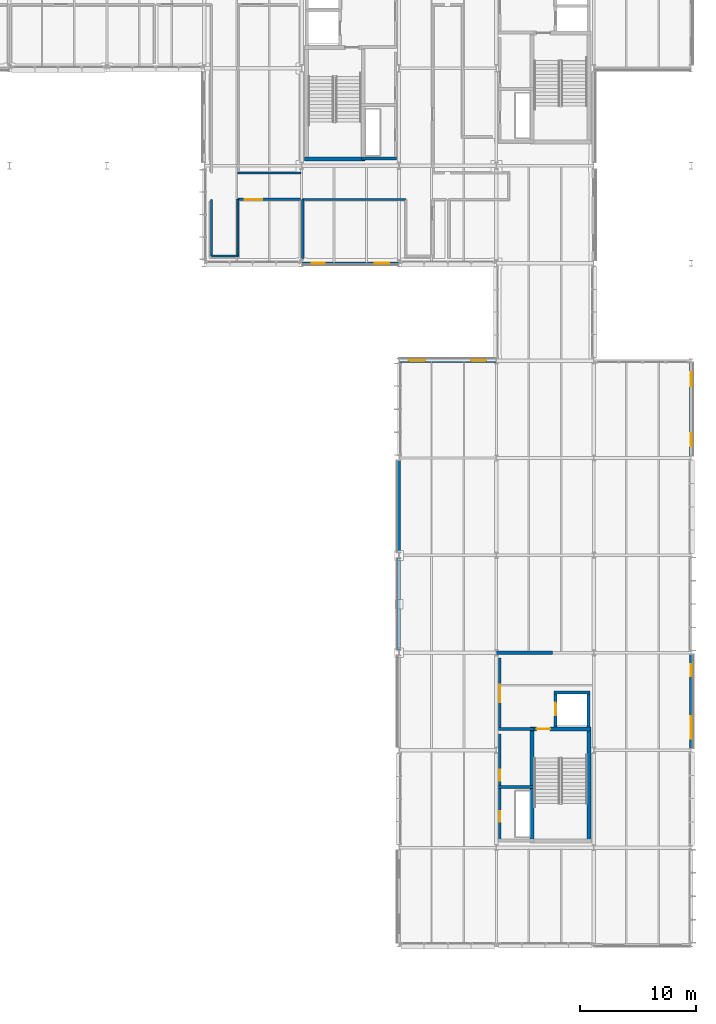
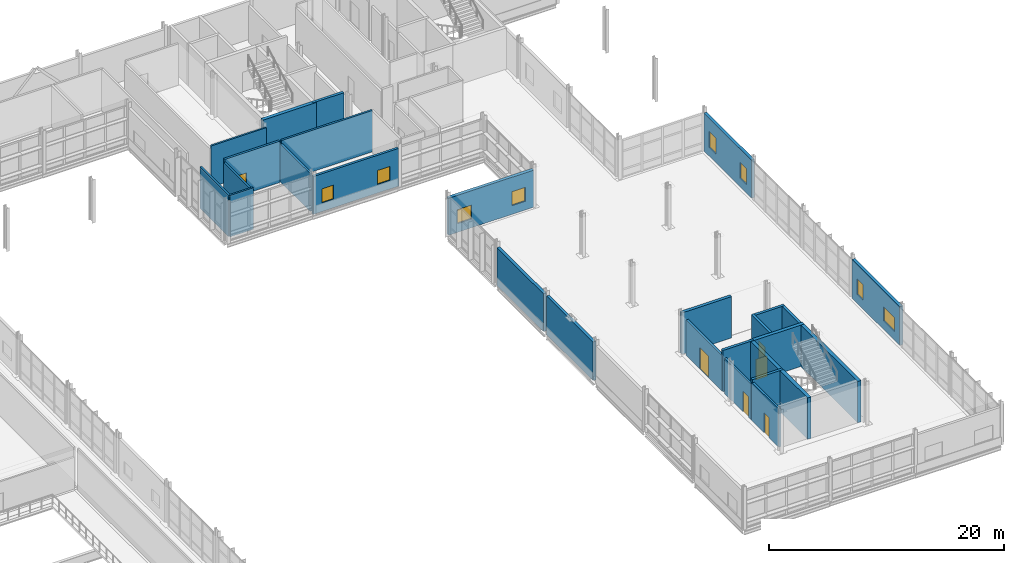
# One storey, part 102 of 129: 27 walls, 8 windows, 6 doors, 14 openings.
"""IFC4 building model written with IfcOpenShell, lengths in metres."""

from ifc_helpers import new_model, si_unit, direction, frame, frame_2d, origin, place, context, subcontext, project, spatial, rectangle, extrude, material, layer, layer_set, type_object, element, fill, save


model = new_model("IFC4")

# Units and contexts
model_context = context("Model", 3, precision=1e-05, world=origin(), true_north=direction((0.0, 1.0)))
body_context = subcontext(model_context, "Body", "Model", "MODEL_VIEW")
ifc_project = project(units=[si_unit("LENGTHUNIT", "METRE"), si_unit("AREAUNIT", "SQUARE_METRE"), si_unit("VOLUMEUNIT", "CUBIC_METRE"), si_unit("PLANEANGLEUNIT", "RADIAN"), si_unit("MASSUNIT", "GRAM", prefix="KILO")], contexts=[model_context])

# Site, building, storey
site_placement = place(None, origin())
site = spatial("IfcSite", under=ifc_project, at=site_placement, CompositionType="ELEMENT")
building_placement = place(site_placement, origin())
building = spatial("IfcBuilding", under=site, at=building_placement, Name="Mersafa Astral City Hall", CompositionType="ELEMENT")
storey_placement = place(building_placement, frame((0.0, 0.0, 5.39990234375)))
storey = spatial("IfcBuildingStorey", under=building, at=storey_placement, Name="L01", CompositionType="ELEMENT", Elevation=5.39990234375)

# Wall, openings, windows
ifc_material_1 = material(Name="Precast concrete C40/50 insulated terracotta spandrel", Category="masonry")
ifc_layer_1 = layer(ifc_material_1, 0.235107421875, Name="Precast concrete C40/50 insulated terracotta spandrel")
ifc_layer_set_1 = layer_set([ifc_layer_1], Name="Precast concrete C40/50 insulated terracotta spandrel — ENV-WAL-EXT-235")
wall_type_1 = type_object("IfcWallType", Name="ENV-WAL-EXT-235", PredefinedType="STANDARD", material=ifc_layer_set_1)
wall_1_placement = place(storey_placement, frame((151.2080078125, 100.800048828125, 0.0), z_axis=(0.0, 0.0, 1.0), x_axis=(1.0, 0.0, 0.0)))
wall_1 = element("IfcWall", 1, at=wall_1_placement, inside=storey, type_object=wall_type_1, Name="L01 Limestone-clad exterior wall 95", PredefinedType="STANDARD", context=body_context, shape_type="SweptSolid", body=[
    extrude(rectangle(XDim=8.384033203125, YDim=0.235107421875, at=frame_2d((4.19189453125, 0.0))), origin(), (0.0, 0.0, 1.0), 3.922119140625),
])
opening_1_placement = place(wall_1_placement, frame((0.85009765625, 0.0, 0.89990234375)))
opening_1 = element("IfcOpeningElement", 2, at=opening_1_placement, cuts=wall_1, Name="Opening W-22", PredefinedType="OPENING", context=body_context, shape_type="SweptSolid", body=[
    extrude(rectangle(XDim=1.1201171875, YDim=1.449951171875, at=frame_2d((0.56005859375, 0.72509765625))), frame((0.0, 0.12744140625, 0.0), z_axis=(0.0, -1.0, 0.0), x_axis=(1.0, 0.0, 0.0)), (0.0, 0.0, 1.0), 0.255126953125),
])
opening_2_placement = place(wall_1_placement, frame((6.31396484375, 0.0, 0.89990234375)))
opening_2 = element("IfcOpeningElement", 3, at=opening_2_placement, cuts=wall_1, Name="Opening W-23", PredefinedType="OPENING", context=body_context, shape_type="SweptSolid", body=[
    extrude(rectangle(XDim=1.219970703125, YDim=1.449951171875, at=frame_2d((0.60986328125, 0.72509765625))), frame((0.0, 0.12744140625, 0.0), z_axis=(0.0, -1.0, 0.0), x_axis=(1.0, 0.0, 0.0)), (0.0, 0.0, 1.0), 0.255126953125),
])
ifc_material_2 = material(Name="Solar control low-e double glazing in bronze frame", Category="glass")
window_type_1 = type_object("IfcWindowType", Name="ENV-WIN-W-22", PartitioningType="SINGLE_PANEL", PredefinedType="WINDOW", material=ifc_material_2)
window_1_placement = place(opening_1_placement, origin())
window_1 = element("IfcWindow", 4, at=window_1_placement, inside=storey, type_object=window_type_1, Name="L01 Solar punched window 95-L", OverallHeight=1.449951171875, OverallWidth=1.1201171875, PartitioningType="SINGLE_PANEL", PredefinedType="WINDOW", context=body_context, shape_type="SweptSolid", body=[
    extrude(rectangle(XDim=1.1201171875, YDim=1.449951171875, at=frame_2d((0.56005859375, 0.72509765625))), frame((0.0, 0.030029296875, 0.0), z_axis=(0.0, -1.0, 0.0), x_axis=(1.0, 0.0, 0.0)), (0.0, 0.0, 1.0), 0.06005859375),
])
fill(opening_1, window_1)
window_type_2 = type_object("IfcWindowType", Name="ENV-WIN-W-23", PartitioningType="SINGLE_PANEL", PredefinedType="WINDOW", material=ifc_material_2)
window_2_placement = place(opening_2_placement, origin())
window_2 = element("IfcWindow", 5, at=window_2_placement, inside=storey, type_object=window_type_2, Name="L01 Solar punched window 95-R", OverallHeight=1.449951171875, OverallWidth=1.219970703125, PartitioningType="SINGLE_PANEL", PredefinedType="WINDOW", context=body_context, shape_type="SweptSolid", body=[
    extrude(rectangle(XDim=1.219970703125, YDim=1.449951171875, at=frame_2d((0.60986328125, 0.72509765625))), frame((0.0, 0.030029296875, 0.0), z_axis=(0.0, -1.0, 0.0), x_axis=(1.0, 0.0, 0.0)), (0.0, 0.0, 1.0), 0.06005859375),
])
fill(opening_2, window_2)

# Walls
ifc_material_3 = material(Name="Precast concrete C40/50 insulated limestone wall", Category="masonry")
ifc_layer_2 = layer(ifc_material_3, 0.280029296875, Name="Precast concrete C40/50 insulated limestone wall")
ifc_layer_set_2 = layer_set([ifc_layer_2], Name="Precast concrete C40/50 insulated limestone wall — ENV-WAL-EXT-280")
wall_type_2 = type_object("IfcWallType", Name="ENV-WAL-EXT-280", PredefinedType="STANDARD", material=ifc_layer_set_2)
wall_2_placement = place(storey_placement, frame((159.60009765625, 75.35400390625, 0.0), z_axis=(0.0, 0.0, 1.0), x_axis=(0.0, -1.0, 0.0)))
element("IfcWall", 6, at=wall_2_placement, inside=storey, type_object=wall_type_2, Name="L01 Limestone-clad exterior wall 98", PredefinedType="STANDARD", context=body_context, shape_type="SweptSolid", body=[
    extrude(rectangle(XDim=7.907958984375, YDim=0.280029296875, at=frame_2d((3.9541015625, 0.0))), origin(), (0.0, 0.0, 1.0), 4.01220703125),
])
ifc_layer_3 = layer(ifc_material_3, 0.294921875, Name="Precast concrete C40/50 insulated limestone wall")
ifc_layer_set_3 = layer_set([ifc_layer_3], Name="Precast concrete C40/50 insulated limestone wall — ENV-WAL-EXT-295")
wall_type_3 = type_object("IfcWallType", Name="ENV-WAL-EXT-295", PredefinedType="STANDARD", material=ifc_layer_set_3)
wall_3_placement = place(storey_placement, frame((159.60009765625, 83.779052734375, 0.0), z_axis=(0.0, 0.0, 1.0), x_axis=(0.0, -1.0, 0.0)))
element("IfcWall", 7, at=wall_3_placement, inside=storey, type_object=wall_type_3, Name="L01 Limestone-clad exterior wall 97", PredefinedType="STANDARD", context=body_context, shape_type="SweptSolid", body=[
    extrude(rectangle(XDim=7.93310546875, YDim=0.294921875, at=frame_2d((3.966552734375, 0.0))), origin(), (0.0, 0.0, 1.0), 3.922119140625),
])

# Wall, openings, windows
wall_4_placement = place(storey_placement, frame((184.800048828125, 84.14599609375, 0.0), z_axis=(0.0, 0.0, 1.0), x_axis=(0.0, 1.0, 0.0)))
wall_4 = element("IfcWall", 8, at=wall_4_placement, inside=storey, type_object=wall_type_3, Name="L01 Limestone-clad exterior wall 103", PredefinedType="STANDARD", context=body_context, shape_type="SweptSolid", body=[
    extrude(rectangle(XDim=8.10791015625, YDim=0.294921875, at=frame_2d((4.053955078125, 0.0))), origin(), (0.0, 0.0, 1.0), 3.922119140625),
])
opening_3_placement = place(wall_4_placement, frame((0.85009765625, 0.0, 0.89990234375)))
opening_3 = element("IfcOpeningElement", 9, at=opening_3_placement, cuts=wall_4, Name="Opening W-32", PredefinedType="OPENING", context=body_context, shape_type="SweptSolid", body=[
    extrude(rectangle(XDim=1.1201171875, YDim=1.64990234375, at=frame_2d((0.56005859375, 0.824951171875))), frame((0.0, 0.157470703125, 0.0), z_axis=(0.0, -1.0, 0.0), x_axis=(1.0, 0.0, 0.0)), (0.0, 0.0, 1.0), 0.31494140625),
])
opening_4_placement = place(wall_4_placement, frame((6.0380859375, 0.0, 0.89990234375)))
opening_4 = element("IfcOpeningElement", 10, at=opening_4_placement, cuts=wall_4, Name="Opening W-33", PredefinedType="OPENING", context=body_context, shape_type="SweptSolid", body=[
    extrude(rectangle(XDim=1.219970703125, YDim=1.64990234375, at=frame_2d((0.60986328125, 0.824951171875))), frame((0.0, 0.157470703125, 0.0), z_axis=(0.0, -1.0, 0.0), x_axis=(1.0, 0.0, 0.0)), (0.0, 0.0, 1.0), 0.31494140625),
])
window_type_3 = type_object("IfcWindowType", Name="ENV-WIN-W-32", PartitioningType="SINGLE_PANEL", PredefinedType="WINDOW", material=ifc_material_2)
window_3_placement = place(opening_3_placement, origin())
window_3 = element("IfcWindow", 11, at=window_3_placement, inside=storey, type_object=window_type_3, Name="L01 Solar punched window 103-L", OverallHeight=1.64990234375, OverallWidth=1.1201171875, PartitioningType="SINGLE_PANEL", PredefinedType="WINDOW", context=body_context, shape_type="SweptSolid", body=[
    extrude(rectangle(XDim=1.1201171875, YDim=1.64990234375, at=frame_2d((0.56005859375, 0.824951171875))), frame((0.0, 0.030029296875, 0.0), z_axis=(0.0, -1.0, 0.0), x_axis=(1.0, 0.0, 0.0)), (0.0, 0.0, 1.0), 0.06005859375),
])
fill(opening_3, window_3)
window_type_4 = type_object("IfcWindowType", Name="ENV-WIN-W-33", PartitioningType="SINGLE_PANEL", PredefinedType="WINDOW", material=ifc_material_2)
window_4_placement = place(opening_4_placement, origin())
window_4 = element("IfcWindow", 12, at=window_4_placement, inside=storey, type_object=window_type_4, Name="L01 Solar punched window 103-R", OverallHeight=1.64990234375, OverallWidth=1.219970703125, PartitioningType="SINGLE_PANEL", PredefinedType="WINDOW", context=body_context, shape_type="SweptSolid", body=[
    extrude(rectangle(XDim=1.219970703125, YDim=1.64990234375, at=frame_2d((0.60986328125, 0.824951171875))), frame((0.0, 0.030029296875, 0.0), z_axis=(0.0, -1.0, 0.0), x_axis=(1.0, 0.0, 0.0)), (0.0, 0.0, 1.0), 0.06005859375),
])
fill(opening_4, window_4)

ifc_layer_4 = layer(ifc_material_3, 0.31005859375, Name="Precast concrete C40/50 insulated limestone wall")
ifc_layer_set_4 = layer_set([ifc_layer_4], Name="Precast concrete C40/50 insulated limestone wall — ENV-WAL-EXT-310")
wall_type_4 = type_object("IfcWallType", Name="ENV-WAL-EXT-310", PredefinedType="STANDARD", material=ifc_layer_set_4)
wall_5_placement = place(storey_placement, frame((167.991943359375, 92.39990234375, 0.0), z_axis=(0.0, 0.0, 1.0), x_axis=(-1.0, 0.0, 0.0)))
wall_5 = element("IfcWall", 13, at=wall_5_placement, inside=storey, type_object=wall_type_4, Name="L01 Limestone-clad exterior wall 96", PredefinedType="STANDARD", context=body_context, shape_type="SweptSolid", body=[
    extrude(rectangle(XDim=8.384033203125, YDim=0.31005859375, at=frame_2d((4.19189453125, 0.0))), origin(), (0.0, 0.0, 1.0), 3.842041015625),
])
opening_5_placement = place(wall_5_placement, frame((0.85009765625, 0.0, 0.89990234375)))
opening_5 = element("IfcOpeningElement", 14, at=opening_5_placement, cuts=wall_5, Name="Opening W-24", PredefinedType="OPENING", context=body_context, shape_type="SweptSolid", body=[
    extrude(rectangle(XDim=1.320068359375, YDim=1.449951171875, at=frame_2d((0.66015625, 0.72509765625))), frame((0.0, 0.1650390625, 0.0), z_axis=(0.0, -1.0, 0.0), x_axis=(1.0, 0.0, 0.0)), (0.0, 0.0, 1.0), 0.330078125),
])
opening_6_placement = place(wall_5_placement, frame((6.114013671875, 0.0, 0.89990234375)))
opening_6 = element("IfcOpeningElement", 15, at=opening_6_placement, cuts=wall_5, Name="Opening W-25", PredefinedType="OPENING", context=body_context, shape_type="SweptSolid", body=[
    extrude(rectangle(XDim=1.419921875, YDim=1.449951171875, at=frame_2d((0.7099609375, 0.72509765625))), frame((0.0, 0.1650390625, 0.0), z_axis=(0.0, -1.0, 0.0), x_axis=(1.0, 0.0, 0.0)), (0.0, 0.0, 1.0), 0.330078125),
])
window_type_5 = type_object("IfcWindowType", Name="ENV-WIN-W-24", PartitioningType="SINGLE_PANEL", PredefinedType="WINDOW", material=ifc_material_2)
window_5_placement = place(opening_5_placement, origin())
window_5 = element("IfcWindow", 16, at=window_5_placement, inside=storey, type_object=window_type_5, Name="L01 Solar punched window 96-L", OverallHeight=1.449951171875, OverallWidth=1.320068359375, PartitioningType="SINGLE_PANEL", PredefinedType="WINDOW", context=body_context, shape_type="SweptSolid", body=[
    extrude(rectangle(XDim=1.320068359375, YDim=1.449951171875, at=frame_2d((0.66015625, 0.72509765625))), frame((0.0, 0.030029296875, 0.0), z_axis=(0.0, -1.0, 0.0), x_axis=(1.0, 0.0, 0.0)), (0.0, 0.0, 1.0), 0.06005859375),
])
fill(opening_5, window_5)
window_type_6 = type_object("IfcWindowType", Name="ENV-WIN-W-25", PartitioningType="SINGLE_PANEL", PredefinedType="WINDOW", material=ifc_material_2)
window_6_placement = place(opening_6_placement, origin())
window_6 = element("IfcWindow", 17, at=window_6_placement, inside=storey, type_object=window_type_6, Name="L01 Solar punched window 96-R", OverallHeight=1.449951171875, OverallWidth=1.419921875, PartitioningType="SINGLE_PANEL", PredefinedType="WINDOW", context=body_context, shape_type="SweptSolid", body=[
    extrude(rectangle(XDim=1.419921875, YDim=1.449951171875, at=frame_2d((0.7099609375, 0.72509765625))), frame((0.0, 0.030029296875, 0.0), z_axis=(0.0, -1.0, 0.0), x_axis=(1.0, 0.0, 0.0)), (0.0, 0.0, 1.0), 0.06005859375),
])
fill(opening_6, window_6)

wall_6_placement = place(storey_placement, frame((184.800048828125, 58.946044921875, 0.0), z_axis=(0.0, 0.0, 1.0), x_axis=(0.0, 1.0, 0.0)))
wall_6 = element("IfcWall", 18, at=wall_6_placement, inside=storey, type_object=wall_type_4, Name="L01 Limestone-clad exterior wall 102", PredefinedType="STANDARD", context=body_context, shape_type="SweptSolid", body=[
    extrude(rectangle(XDim=8.10791015625, YDim=0.31005859375, at=frame_2d((4.053955078125, 0.0))), origin(), (0.0, 0.0, 1.0), 4.01220703125),
])
opening_7_placement = place(wall_6_placement, frame((0.85009765625, 0.0, 0.89990234375)))
opening_7 = element("IfcOpeningElement", 19, at=opening_7_placement, cuts=wall_6, Name="Opening W-30", PredefinedType="OPENING", context=body_context, shape_type="SweptSolid", body=[
    extrude(rectangle(XDim=1.919921875, YDim=1.449951171875, at=frame_2d((0.9599609375, 0.72509765625))), frame((0.0, 0.1650390625, 0.0), z_axis=(0.0, -1.0, 0.0), x_axis=(1.0, 0.0, 0.0)), (0.0, 0.0, 1.0), 0.330078125),
])
opening_8_placement = place(wall_6_placement, frame((6.238037109375, 0.0, 0.89990234375)))
opening_8 = element("IfcOpeningElement", 20, at=opening_8_placement, cuts=wall_6, Name="Opening W-31", PredefinedType="OPENING", context=body_context, shape_type="SweptSolid", body=[
    extrude(rectangle(XDim=1.02001953125, YDim=1.64990234375, at=frame_2d((0.510009765625, 0.824951171875))), frame((0.0, 0.1650390625, 0.0), z_axis=(0.0, -1.0, 0.0), x_axis=(1.0, 0.0, 0.0)), (0.0, 0.0, 1.0), 0.330078125),
])
window_type_7 = type_object("IfcWindowType", Name="ENV-WIN-W-30", PartitioningType="SINGLE_PANEL", PredefinedType="WINDOW", material=ifc_material_2)
window_7_placement = place(opening_7_placement, origin())
window_7 = element("IfcWindow", 21, at=window_7_placement, inside=storey, type_object=window_type_7, Name="L01 Solar punched window 102-L", OverallHeight=1.449951171875, OverallWidth=1.919921875, PartitioningType="SINGLE_PANEL", PredefinedType="WINDOW", context=body_context, shape_type="SweptSolid", body=[
    extrude(rectangle(XDim=1.919921875, YDim=1.449951171875, at=frame_2d((0.9599609375, 0.72509765625))), frame((0.0, 0.030029296875, 0.0), z_axis=(0.0, -1.0, 0.0), x_axis=(1.0, 0.0, 0.0)), (0.0, 0.0, 1.0), 0.06005859375),
])
fill(opening_7, window_7)
window_type_8 = type_object("IfcWindowType", Name="ENV-WIN-W-31", PartitioningType="SINGLE_PANEL", PredefinedType="WINDOW", material=ifc_material_2)
window_8_placement = place(opening_8_placement, origin())
window_8 = element("IfcWindow", 22, at=window_8_placement, inside=storey, type_object=window_type_8, Name="L01 Solar punched window 102-R", OverallHeight=1.64990234375, OverallWidth=1.02001953125, PartitioningType="SINGLE_PANEL", PredefinedType="WINDOW", context=body_context, shape_type="SweptSolid", body=[
    extrude(rectangle(XDim=1.02001953125, YDim=1.64990234375, at=frame_2d((0.510009765625, 0.824951171875))), frame((0.0, 0.030029296875, 0.0), z_axis=(0.0, -1.0, 0.0), x_axis=(1.0, 0.0, 0.0)), (0.0, 0.0, 1.0), 0.06005859375),
])
fill(opening_8, window_8)

# Walls
ifc_material_4 = material(Name="Concrete C40/50", Category="concrete")
ifc_layer_5 = layer(ifc_material_4, 0.260009765625, Name="Concrete C40/50")
ifc_layer_set_5 = layer_set([ifc_layer_5], Name="Concrete C40/50 — INT-WAL-CORE-260")
wall_type_5 = type_object("IfcWallType", Name="INT-WAL-CORE-260", PredefinedType="SHEAR", material=ifc_layer_set_5)
wall_7_placement = place(storey_placement, frame((156.364990234375, 109.820068359375, 0.0), z_axis=(0.0, 0.0, 1.0), x_axis=(1.0, 0.0, 0.0)))
element("IfcWall", 23, at=wall_7_placement, inside=storey, type_object=wall_type_5, Name="L01 Core K1 riser south wall", PredefinedType="SHEAR", context=body_context, shape_type="SweptSolid", body=[
    extrude(rectangle(XDim=3.034912109375, YDim=0.260009765625, at=frame_2d((1.517578125, 0.0))), origin(), (0.0, 0.0, 1.0), 4.2900390625),
])
wall_8_placement = place(storey_placement, frame((172.955078125, 63.784912109375, 0.0), z_axis=(0.0, 0.0, 1.0), x_axis=(1.0, 0.0, 0.0)))
element("IfcWall", 24, at=wall_8_placement, inside=storey, type_object=wall_type_5, Name="L01 Lift LF6 north shaft wall", PredefinedType="SHEAR", context=body_context, shape_type="SweptSolid", body=[
    extrude(rectangle(XDim=3.1298828125, YDim=0.260009765625, at=frame_2d((1.56494140625, 0.0))), origin(), (0.0, 0.0, 1.0), 4.2900390625),
])
wall_9_placement = place(storey_placement, frame((175.955078125, 60.797119140625, 0.0), z_axis=(0.0, 0.0, 1.0), x_axis=(0.0, 1.0, 0.0)))
element("IfcWall", 25, at=wall_9_placement, inside=storey, type_object=wall_type_5, Name="L01 Lift LF6 back shaft wall", PredefinedType="SHEAR", context=body_context, shape_type="SweptSolid", body=[
    extrude(rectangle(XDim=3.117919921875, YDim=0.260009765625, at=frame_2d((1.55908203125, 0.0))), origin(), (0.0, 0.0, 1.0), 4.2900390625),
])

# Wall, opening, door
wall_10_placement = place(storey_placement, frame((173.0849609375, 60.797119140625, 0.0), z_axis=(0.0, 0.0, 1.0), x_axis=(0.0, 1.0, 0.0)))
wall_10 = element("IfcWall", 26, at=wall_10_placement, inside=storey, type_object=wall_type_5, Name="L01 Lift LF6 front shaft wall", PredefinedType="SHEAR", context=body_context, shape_type="SweptSolid", body=[
    extrude(rectangle(XDim=3.117919921875, YDim=0.260009765625, at=frame_2d((1.55908203125, 0.0))), origin(), (0.0, 0.0, 1.0), 4.2900390625),
])
opening_9_placement = place(wall_10_placement, frame((1.009033203125, 0.0, 0.0)))
opening_9 = element("IfcOpeningElement", 27, at=opening_9_placement, cuts=wall_10, Name="Opening LD-1", PredefinedType="OPENING", context=body_context, shape_type="SweptSolid", body=[
    extrude(rectangle(XDim=1.10009765625, YDim=2.14990234375, at=frame_2d((0.550048828125, 1.074951171875))), frame((0.0, 0.139892578125, 0.0), z_axis=(0.0, -1.0, 0.0), x_axis=(1.0, 0.0, 0.0)), (0.0, 0.0, 1.0), 0.280029296875),
])
ifc_material_5 = material(Name="Stainless steel sliding lift landing door", Category="steel")
door_type_1 = type_object("IfcDoorType", Name="INT-DR-LIFT-LD1", OperationType="NOTDEFINED", PredefinedType="DOOR", material=ifc_material_5)
door_1_placement = place(opening_9_placement, origin())
door_1 = element("IfcDoor", 28, at=door_1_placement, inside=storey, type_object=door_type_1, Name="Elevator LF6 Sliding Landing Door L01", OperationType="DOUBLE_DOOR_SLIDING", OverallHeight=2.14990234375, OverallWidth=1.10009765625, PredefinedType="DOOR", context=body_context, shape_type="SweptSolid", body=[
    extrude(rectangle(XDim=1.10009765625, YDim=2.14990234375, at=frame_2d((0.550048828125, 1.074951171875))), frame((0.0, 0.02490234375, 0.0), z_axis=(0.0, -1.0, 0.0), x_axis=(1.0, 0.0, 0.0)), (0.0, 0.0, 1.0), 0.050048828125),
])
fill(opening_9, door_1)

# Walls
for number, where, z_axis, x_axis, name in (
    (29, (168.199951171875, 55.635009765625, 0.0), (0.0, 0.0, 1.0), (1.0, 0.0, 0.0), "L01 Core K4 riser-restroom divider wall"),
    (30, (168.199951171875, 60.635009765625, 0.0), (0.0, 0.0, 1.0), (1.0, 0.0, 0.0), "L01 Core K4 restroom-lobby divider wall"),
):
    element("IfcWall", number, at=place(storey_placement, frame(where, z_axis=z_axis, x_axis=x_axis)), inside=storey, type_object=wall_type_5, Name=name, PredefinedType="SHEAR", context=body_context, shape_type="SweptSolid", body=[
        extrude(rectangle(XDim=3.03515625, YDim=0.260009765625, at=frame_2d((1.517578125, 0.0))), origin(), (0.0, 0.0, 1.0), 4.2900390625),
    ])
ifc_layer_6 = layer(ifc_material_4, 0.300048828125, Name="Concrete C40/50")
ifc_layer_set_6 = layer_set([ifc_layer_6], Name="Concrete C40/50 — INT-WAL-CORE-300")
wall_type_6 = type_object("IfcWallType", Name="INT-WAL-CORE-300", PredefinedType="SHEAR", material=ifc_layer_set_6)
wall_11_placement = place(storey_placement, frame((167.97998046875, 67.2099609375, 0.0), z_axis=(0.0, 0.0, 1.0), x_axis=(1.0, 0.0, 0.0)))
element("IfcWall", 31, at=wall_11_placement, inside=storey, type_object=wall_type_6, Name="L01 Core K4 lobby north shear wall", PredefinedType="SHEAR", context=body_context, shape_type="SweptSolid", body=[
    extrude(rectangle(XDim=4.8701171875, YDim=0.300048828125, at=frame_2d((2.43505859375, 0.0))), origin(), (0.0, 0.0, 1.0), 4.2900390625),
])
ifc_layer_7 = layer(ifc_material_4, 0.340087890625, Name="Concrete C40/50")
ifc_layer_set_7 = layer_set([ifc_layer_7], Name="Concrete C40/50 — INT-WAL-CORE-340")
wall_type_7 = type_object("IfcWallType", Name="INT-WAL-CORE-340", PredefinedType="SHEAR", material=ifc_layer_set_7)
wall_12_placement = place(storey_placement, frame((151.43505859375, 109.77490234375, 0.0), z_axis=(0.0, 0.0, 1.0), x_axis=(1.0, 0.0, 0.0)))
element("IfcWall", 32, at=wall_12_placement, inside=storey, type_object=wall_type_7, Name="L01 Core K1 stair south shear wall", PredefinedType="SHEAR", context=body_context, shape_type="SweptSolid", body=[
    extrude(rectangle(XDim=5.25, YDim=0.340087890625, at=frame_2d((2.625, 0.0))), origin(), (0.0, 0.0, 1.0), 4.2900390625),
])
for number, where, z_axis, x_axis, name in (
    (33, (171.0849609375, 50.804931640625, 0.0), (0.0, 0.0, 1.0), (0.0, 1.0, 0.0), "L01 Core K4 stair west shear wall"),
    (34, (175.9951171875, 50.804931640625, 0.0), (0.0, 0.0, 1.0), (0.0, 1.0, 0.0), "L01 Core K4 stair east shear wall"),
):
    element("IfcWall", number, at=place(storey_placement, frame(where, z_axis=z_axis, x_axis=x_axis)), inside=storey, type_object=wall_type_7, Name=name, PredefinedType="SHEAR", context=body_context, shape_type="SweptSolid", body=[
        extrude(rectangle(XDim=9.989990234375, YDim=0.340087890625, at=frame_2d((4.9951171875, 0.0))), origin(), (0.0, 0.0, 1.0), 4.2900390625),
    ])

# Wall, opening, door
wall_13_placement = place(storey_placement, frame((170.9150390625, 60.625, 0.0), z_axis=(0.0, 0.0, 1.0), x_axis=(1.0, 0.0, 0.0)))
wall_13 = element("IfcWall", 35, at=wall_13_placement, inside=storey, type_object=wall_type_7, Name="L01 Core K4 stair-lobby fire wall", PredefinedType="SHEAR", context=body_context, shape_type="SweptSolid", body=[
    extrude(rectangle(XDim=5.25, YDim=0.340087890625, at=frame_2d((2.625, 0.0))), origin(), (0.0, 0.0, 1.0), 4.2900390625),
])
opening_10_placement = place(wall_13_placement, frame((0.56494140625, 0.0, 0.0)))
opening_10 = element("IfcOpeningElement", 36, at=opening_10_placement, cuts=wall_13, Name="Opening CD-1", PredefinedType="OPENING", context=body_context, shape_type="SweptSolid", body=[
    extrude(rectangle(XDim=1.14990234375, YDim=2.14990234375, at=frame_2d((0.574951171875, 1.074951171875))), frame((0.0, 0.179931640625, 0.0), z_axis=(0.0, -1.0, 0.0), x_axis=(1.0, 0.0, 0.0)), (0.0, 0.0, 1.0), 0.360107421875),
])
ifc_material_6 = material(Name="Fire-rated steel stair door", Category="steel")
door_type_2 = type_object("IfcDoorType", Name="INT-DR-STAIR-FD90-1150", OperationType="NOTDEFINED", PredefinedType="DOOR", material=ifc_material_6)
door_2_placement = place(opening_10_placement, origin())
door_2 = element("IfcDoor", 37, at=door_2_placement, inside=storey, type_object=door_type_2, Name="L01 Protected Stair ST4 Door", OperationType="SINGLE_SWING_LEFT", OverallHeight=2.14990234375, OverallWidth=1.14990234375, PredefinedType="DOOR", context=body_context, shape_type="SweptSolid", body=[
    extrude(rectangle(XDim=1.14990234375, YDim=2.14990234375, at=frame_2d((0.574951171875, 1.074951171875))), frame((0.0, 0.02490234375, 0.0), z_axis=(0.0, -1.0, 0.0), x_axis=(1.0, 0.0, 0.0)), (0.0, 0.0, 1.0), 0.050048828125),
])
fill(opening_10, door_2)

# Walls
ifc_material_7 = material(Name="Fire-rated gypsum stud partition", Category="gypsum")
ifc_layer_8 = layer(ifc_material_7, 0.1650390625, Name="Fire-rated gypsum stud partition")
ifc_layer_set_8 = layer_set([ifc_layer_8], Name="Fire-rated gypsum stud partition — INT-WAL-PART-EI60-165")
wall_type_8 = type_object("IfcWallType", Name="INT-WAL-PART-EI60-165", PredefinedType="STANDARD", material=ifc_layer_set_8)
wall_14_placement = place(storey_placement, frame((151.110107421875, 108.580078125, -0.00390625), z_axis=(0.0, 0.0, 1.0), x_axis=(-1.0, 0.0, 0.0)))
element("IfcWall", 38, at=wall_14_placement, inside=storey, type_object=wall_type_8, Name="L01 Interior partition wall 331", PredefinedType="STANDARD", context=body_context, shape_type="SweptSolid", body=[
    extrude(rectangle(XDim=5.41015625, YDim=0.1650390625, at=frame_2d((2.705078125, 0.0))), origin(), (0.0, 0.0, 1.0), 4.2939453125),
])
wall_15_placement = place(storey_placement, frame((145.699951171875, 101.419921875, -0.00390625), z_axis=(0.0, 0.0, 1.0), x_axis=(0.0, 1.0, 0.0)))
element("IfcWall", 39, at=wall_15_placement, inside=storey, type_object=wall_type_8, Name="L01 Interior partition wall 379", PredefinedType="STANDARD", context=body_context, shape_type="SweptSolid", body=[
    extrude(rectangle(XDim=4.880126953125, YDim=0.1650390625, at=frame_2d((2.43994140625, 0.0))), origin(), (0.0, 0.0, 1.0), 3.986083984375),
])
ifc_material_8 = material(Name="Acoustic twin-stud gypsum partition", Category="gypsum")
ifc_layer_9 = layer(ifc_material_8, 0.179931640625, Name="Acoustic twin-stud gypsum partition")
ifc_layer_set_9 = layer_set([ifc_layer_9], Name="Acoustic twin-stud gypsum partition — INT-WAL-PART-EI60-180")
wall_type_9 = type_object("IfcWallType", Name="INT-WAL-PART-EI60-180", PredefinedType="STANDARD", material=ifc_layer_set_9)
wall_16_placement = place(storey_placement, frame((143.419921875, 101.419921875, -0.00390625), z_axis=(0.0, 0.0, 1.0), x_axis=(1.0, 0.0, 0.0)))
element("IfcWall", 40, at=wall_16_placement, inside=storey, type_object=wall_type_9, Name="L01 Interior partition wall 378", PredefinedType="STANDARD", context=body_context, shape_type="SweptSolid", body=[
    extrude(rectangle(XDim=2.280029296875, YDim=0.179931640625, at=frame_2d((1.14013671875, 0.0))), origin(), (0.0, 0.0, 1.0), 4.2939453125),
])
ifc_layer_10 = layer(ifc_material_8, 0.195068359375, Name="Acoustic twin-stud gypsum partition")
ifc_layer_set_10 = layer_set([ifc_layer_10], Name="Acoustic twin-stud gypsum partition — INT-WAL-PART-EI60-195")
wall_type_10 = type_object("IfcWallType", Name="INT-WAL-PART-EI60-195", PredefinedType="STANDARD", material=ifc_layer_set_10)
wall_17_placement = place(storey_placement, frame((151.2900390625, 106.300048828125, -0.00390625), z_axis=(0.0, 0.0, 1.0), x_axis=(1.0, 0.0, 0.0)))
element("IfcWall", 41, at=wall_17_placement, inside=storey, type_object=wall_type_10, Name="L01 Interior partition wall 361", PredefinedType="STANDARD", context=body_context, shape_type="SweptSolid", body=[
    extrude(rectangle(XDim=8.929931640625, YDim=0.195068359375, at=frame_2d((4.46484375, 0.0))), origin(), (0.0, 0.0, 1.0), 4.2939453125),
])
wall_18_placement = place(storey_placement, frame((143.419921875, 106.300048828125, -0.00390625), z_axis=(0.0, 0.0, 1.0), x_axis=(0.0, -1.0, 0.0)))
element("IfcWall", 42, at=wall_18_placement, inside=storey, type_object=wall_type_10, Name="L01 Interior partition wall 377", PredefinedType="STANDARD", context=body_context, shape_type="SweptSolid", body=[
    extrude(rectangle(XDim=4.880126953125, YDim=0.195068359375, at=frame_2d((2.43994140625, 0.0))), origin(), (0.0, 0.0, 1.0), 4.2939453125),
])

# Wall, opening, door
ifc_material_9 = material(Name="Autoclaved aerated concrete blockwork plastered", Category="masonry")
ifc_layer_11 = layer(ifc_material_9, 0.2099609375, Name="Autoclaved aerated concrete blockwork plastered")
ifc_layer_set_11 = layer_set([ifc_layer_11], Name="Autoclaved aerated concrete blockwork plastered — INT-WAL-PART-EI60-210")
wall_type_11 = type_object("IfcWallType", Name="INT-WAL-PART-EI60-210", PredefinedType="STANDARD", material=ifc_layer_set_11)
wall_19_placement = place(storey_placement, frame((168.300048828125, 51.02001953125, 0.0), z_axis=(0.0, 0.0, 1.0), x_axis=(0.0, 1.0, 0.0)))
wall_19 = element("IfcWall", 43, at=wall_19_placement, inside=storey, type_object=wall_type_11, Name="L01 Core K4 riser corridor partition", PredefinedType="STANDARD", context=body_context, shape_type="SweptSolid", body=[
    extrude(rectangle(XDim=4.590087890625, YDim=0.2099609375, at=frame_2d((2.294921875, 0.0))), origin(), (0.0, 0.0, 1.0), 3.97216796875),
])
opening_11_placement = place(wall_19_placement, frame((1.60009765625, 0.0, 0.0)))
opening_11 = element("IfcOpeningElement", 44, at=opening_11_placement, cuts=wall_19, Name="Opening CD-5", PredefinedType="OPENING", context=body_context, shape_type="SweptSolid", body=[
    extrude(rectangle(XDim=0.89990234375, YDim=2.10009765625, at=frame_2d((0.449951171875, 1.050048828125))), frame((0.0, 0.114990234375, 0.0), z_axis=(0.0, -1.0, 0.0), x_axis=(1.0, 0.0, 0.0)), (0.0, 0.0, 1.0), 0.22998046875),
])
ifc_material_10 = material(Name="Fire-rated steel riser access door", Category="steel")
door_type_3 = type_object("IfcDoorType", Name="INT-DR-RISER-FD60-900", OperationType="NOTDEFINED", PredefinedType="DOOR", material=ifc_material_10)
door_3_placement = place(opening_11_placement, origin())
door_3 = element("IfcDoor", 45, at=door_3_placement, inside=storey, type_object=door_type_3, Name="L01 K4 MEP Riser Access Door", OperationType="SINGLE_SWING_LEFT", OverallHeight=2.10009765625, OverallWidth=0.89990234375, PredefinedType="DOOR", context=body_context, shape_type="SweptSolid", body=[
    extrude(rectangle(XDim=0.89990234375, YDim=2.10009765625, at=frame_2d((0.449951171875, 1.050048828125))), frame((0.0, 0.02490234375, 0.0), z_axis=(0.0, -1.0, 0.0), x_axis=(1.0, 0.0, 0.0)), (0.0, 0.0, 1.0), 0.050048828125),
])
fill(opening_11, door_3)

wall_20_placement = place(storey_placement, frame((168.300048828125, 55.719970703125, 0.0), z_axis=(0.0, 0.0, 1.0), x_axis=(0.0, 1.0, 0.0)))
wall_20 = element("IfcWall", 46, at=wall_20_placement, inside=storey, type_object=wall_type_11, Name="L01 Core K4 accessible WC corridor partition", PredefinedType="STANDARD", context=body_context, shape_type="SweptSolid", body=[
    extrude(rectangle(XDim=4.47998046875, YDim=0.2099609375, at=frame_2d((2.239990234375, 0.0))), origin(), (0.0, 0.0, 1.0), 3.68212890625),
])
opening_12_placement = place(wall_20_placement, frame((0.449951171875, 0.0, 0.0)))
opening_12 = element("IfcOpeningElement", 47, at=opening_12_placement, cuts=wall_20, Name="Opening CD-4", PredefinedType="OPENING", context=body_context, shape_type="SweptSolid", body=[
    extrude(rectangle(XDim=0.949951171875, YDim=2.14990234375, at=frame_2d((0.47509765625, 1.074951171875))), frame((0.0, 0.114990234375, 0.0), z_axis=(0.0, -1.0, 0.0), x_axis=(1.0, 0.0, 0.0)), (0.0, 0.0, 1.0), 0.22998046875),
])
ifc_material_11 = material(Name="Accessible timber acoustic WC door", Category="wood")
door_type_4 = type_object("IfcDoorType", Name="INT-DR-WC-FD30-950", OperationType="NOTDEFINED", PredefinedType="DOOR", material=ifc_material_11)
door_4_placement = place(opening_12_placement, origin())
door_4 = element("IfcDoor", 48, at=door_4_placement, inside=storey, type_object=door_type_4, Name="L01 K4 Accessible Restroom Door", OperationType="SINGLE_SWING_RIGHT", OverallHeight=2.14990234375, OverallWidth=0.949951171875, PredefinedType="DOOR", context=body_context, shape_type="SweptSolid", body=[
    extrude(rectangle(XDim=0.949951171875, YDim=2.14990234375, at=frame_2d((0.47509765625, 1.074951171875))), frame((0.0, 0.02490234375, 0.0), z_axis=(0.0, -1.0, 0.0), x_axis=(1.0, 0.0, 0.0)), (0.0, 0.0, 1.0), 0.050048828125),
])
fill(opening_12, door_4)

wall_21_placement = place(storey_placement, frame((168.300048828125, 60.639892578125, 0.0), z_axis=(0.0, 0.0, 1.0), x_axis=(0.0, 1.0, 0.0)))
wall_21 = element("IfcWall", 49, at=wall_21_placement, inside=storey, type_object=wall_type_11, Name="L01 Core K4 lobby corridor partition", PredefinedType="STANDARD", context=body_context, shape_type="SweptSolid", body=[
    extrude(rectangle(XDim=6.1201171875, YDim=0.2099609375, at=frame_2d((3.06005859375, 0.0))), origin(), (0.0, 0.0, 1.0), 3.68212890625),
])
opening_13_placement = place(wall_21_placement, frame((2.31005859375, 0.0, 0.0)))
opening_13 = element("IfcOpeningElement", 50, at=opening_13_placement, cuts=wall_21, Name="Opening CD-3", PredefinedType="OPENING", context=body_context, shape_type="SweptSolid", body=[
    extrude(rectangle(XDim=1.5, YDim=2.199951171875, at=frame_2d((0.75, 1.10009765625))), frame((0.0, 0.114990234375, 0.0), z_axis=(0.0, -1.0, 0.0), x_axis=(1.0, 0.0, 0.0)), (0.0, 0.0, 1.0), 0.22998046875),
])
ifc_material_12 = material(Name="Fire-rated glazed lobby door pair", Category="metal")
door_type_5 = type_object("IfcDoorType", Name="INT-DR-LOBBY-FD90-1500", OperationType="NOTDEFINED", PredefinedType="DOOR", material=ifc_material_12)
door_5_placement = place(opening_13_placement, origin())
door_5 = element("IfcDoor", 51, at=door_5_placement, inside=storey, type_object=door_type_5, Name="L01 K4 Lift Lobby Fire Door", OperationType="DOUBLE_DOOR_SINGLE_SWING", OverallHeight=2.199951171875, OverallWidth=1.5, PredefinedType="DOOR", context=body_context, shape_type="SweptSolid", body=[
    extrude(rectangle(XDim=1.5, YDim=2.199951171875, at=frame_2d((0.75, 1.10009765625))), frame((0.0, 0.02490234375, 0.0), z_axis=(0.0, -1.0, 0.0), x_axis=(1.0, 0.0, 0.0)), (0.0, 0.0, 1.0), 0.050048828125),
])
fill(opening_13, door_5)

# Wall
wall_22_placement = place(storey_placement, frame((151.2900390625, 101.219970703125, -0.00390625), z_axis=(0.0, 0.0, 1.0), x_axis=(0.0, 1.0, 0.0)))
element("IfcWall", 52, at=wall_22_placement, inside=storey, type_object=wall_type_11, Name="L01 Interior partition wall 360", PredefinedType="STANDARD", context=body_context, shape_type="SweptSolid", body=[
    extrude(rectangle(XDim=5.080078125, YDim=0.2099609375, at=frame_2d((2.5400390625, 0.0))), origin(), (0.0, 0.0, 1.0), 3.93603515625),
])

# Wall, opening, door
wall_23_placement = place(storey_placement, frame((145.699951171875, 106.300048828125, -0.00390625), z_axis=(0.0, 0.0, 1.0), x_axis=(1.0, 0.0, 0.0)))
wall_23 = element("IfcWall", 53, at=wall_23_placement, inside=storey, type_object=wall_type_11, Name="L01 Interior partition wall 380", PredefinedType="STANDARD", context=body_context, shape_type="SweptSolid", body=[
    extrude(rectangle(XDim=5.41015625, YDim=0.2099609375, at=frame_2d((2.705078125, 0.0))), origin(), (0.0, 0.0, 1.0), 4.2939453125),
])
opening_14_placement = place(wall_23_placement, frame((0.58251953125, 0.0, 0.0)))
opening_14 = element("IfcOpeningElement", 54, at=opening_14_placement, cuts=wall_23, Name="Opening D-17", PredefinedType="OPENING", context=body_context, shape_type="SweptSolid", body=[
    extrude(rectangle(XDim=1.5400390625, YDim=2.139892578125, at=frame_2d((0.77001953125, 1.06982421875))), frame((0.0, 0.114990234375, 0.0), z_axis=(0.0, -1.0, 0.0), x_axis=(1.0, 0.0, 0.0)), (0.0, 0.0, 1.0), 0.22998046875),
])
ifc_material_13 = material(Name="Cedar veneered acoustic fire-rated timber door", Category="wood")
door_type_6 = type_object("IfcDoorType", Name="INT-DR-RM-D-17", OperationType="NOTDEFINED", PredefinedType="DOOR", material=ifc_material_13)
door_6_placement = place(opening_14_placement, origin())
door_6 = element("IfcDoor", 55, at=door_6_placement, inside=storey, type_object=door_type_6, Name="L01 Public Restroom L01-28 Entrance Door", OperationType="SINGLE_SWING_LEFT", OverallHeight=2.139892578125, OverallWidth=1.5400390625, PredefinedType="DOOR", context=body_context, shape_type="SweptSolid", body=[
    extrude(rectangle(XDim=1.5400390625, YDim=2.139892578125, at=frame_2d((0.77001953125, 1.06982421875))), frame((0.0, 0.02490234375, 0.0), z_axis=(0.0, -1.0, 0.0), x_axis=(1.0, 0.0, 0.0)), (0.0, 0.0, 1.0), 0.050048828125),
])
fill(opening_14, door_6)

save(model, "model.ifc")
